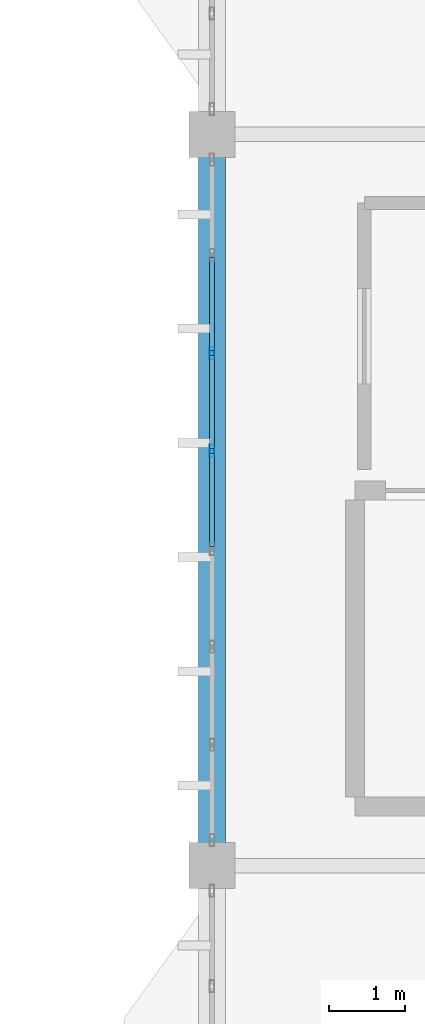
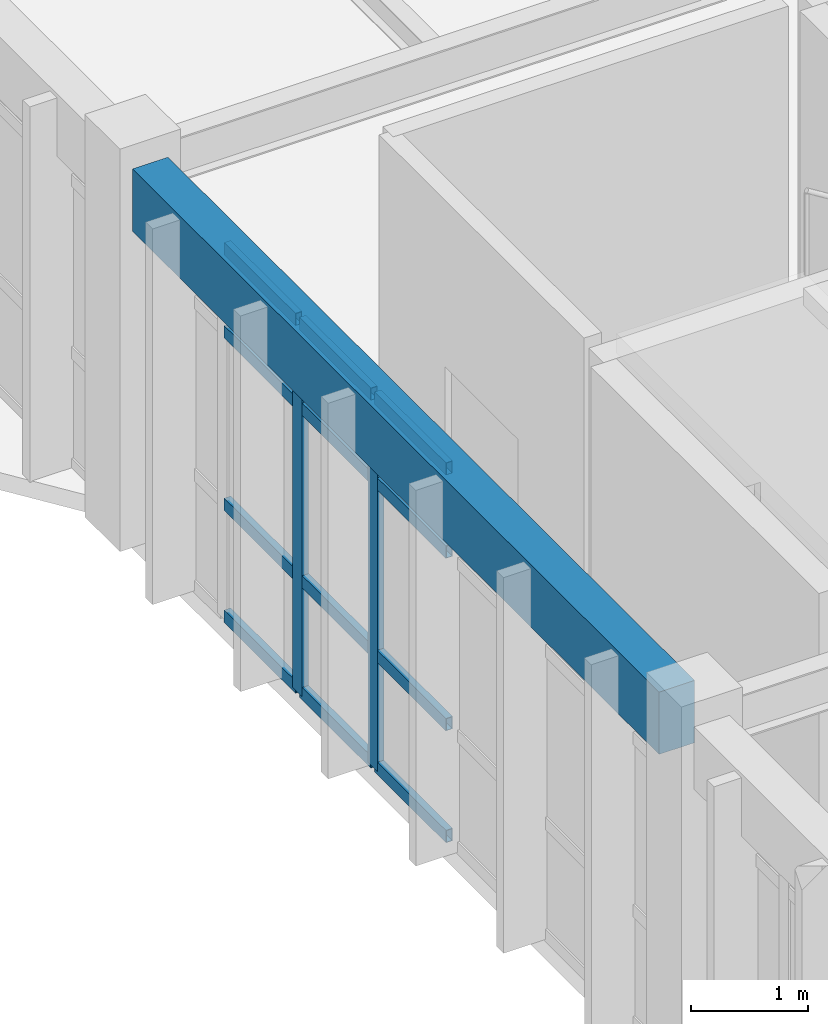
# One storey, part 37 of 83: 14 members, 1 beam, 1 element without a shape of its own.
"""IFC4 building model written with IfcOpenShell, lengths in metres."""

from ifc_helpers import new_model, si_unit, direction, frame, origin, origin_2d, place, context, subcontext, project, spatial, rectangle, hollow_rectangle, extrude, material, layer, layer_set, material_profile, profile_set, type_object, element, aggregate, save


model = new_model("IFC4")

# Units and contexts
model_context = context("Model", 3, precision=1e-05, world=origin(), true_north=direction((0.0, 1.0)))
body_context = subcontext(model_context, "Body", "Model", "MODEL_VIEW")
ifc_project = project(units=[si_unit("LENGTHUNIT", "METRE"), si_unit("AREAUNIT", "SQUARE_METRE"), si_unit("VOLUMEUNIT", "CUBIC_METRE"), si_unit("PLANEANGLEUNIT", "RADIAN"), si_unit("MASSUNIT", "GRAM", prefix="KILO")], contexts=[model_context])

# Site, building, storey
site_placement = place(None, origin())
site = spatial("IfcSite", under=ifc_project, at=site_placement, CompositionType="ELEMENT")
building_placement = place(site_placement, origin())
building = spatial("IfcBuilding", under=site, at=building_placement, Name="Pandanus Reach Market Hall", CompositionType="ELEMENT")
storey_placement = place(building_placement, frame((0.0, 0.0, 10.199951171875)))
storey = spatial("IfcBuildingStorey", under=building, at=storey_placement, Name="L02", CompositionType="ELEMENT", Elevation=10.199951171875)

# Beam
ifc_material_1 = material(Name="Concrete N40 (40 MPa)", Category="concrete")
ifc_material_profile_1 = material_profile(ifc_material_1, rectangle(XDim=0.35009765625, YDim=0.64990234375, at=origin_2d()), Name="RC350x650", Category="LoadBearing")
ifc_profile_set_1 = profile_set([ifc_material_profile_1], Name="Concrete N40 (40 MPa)")
beam_type = type_object("IfcBeamType", Name="BM-RC350-E", PredefinedType="SPANDREL", material=ifc_profile_set_1)
beam_placement = place(storey_placement, frame((144.0, 48.298095703125, 3.625), z_axis=(0.0, 1.0, 0.0), x_axis=(-1.0, 0.0, 0.0)))
element("IfcBeam", 1, at=beam_placement, inside=storey, type_object=beam_type, Name="Framing beam BM-RC350-E L02.464", PredefinedType="SPANDREL", context=body_context, shape_type="SweptSolid", body=[
    extrude(rectangle(XDim=0.35009765625, YDim=0.64990234375, at=origin_2d()), origin(), (0.0, 0.0, 1.0), 9.00390625),
])

# Curtain wall, members
ifc_material_2 = material(Name="Bronze anodised aluminium and low-E glass", Category="aluminium")
ifc_layer = layer(ifc_material_2, 0.159912109375, Name="CW-33")
ifc_layer_set = layer_set([ifc_layer], Name="Bronze anodised aluminium and low-E glass")
curtain_wall_type = type_object("IfcCurtainWallType", Name="CW-33", PredefinedType="NOTDEFINED", material=ifc_layer_set)
curtain_wall_placement = place(storey_placement, origin())
curtain_wall = element("IfcCurtainWall", 2, at=curtain_wall_placement, inside=storey, type_object=curtain_wall_type, Name="Glazed curtain wall CW-33 CW-0112", PredefinedType="NOTDEFINED")
ifc_material_3 = material(Name="Bronze anodised aluminium", Category="aluminium")
ifc_material_profile_2 = material_profile(ifc_material_3, hollow_rectangle(XDim=0.06494140625, YDim=0.159912109375, WallThickness=0.00390625, at=origin_2d()), Name="ALU65x160", Category="LoadBearing")
ifc_profile_set_2 = profile_set([ifc_material_profile_2], Name="Bronze anodised aluminium")
member_type_1 = type_object("IfcMemberType", Name="CW-M1", PredefinedType="MULLION", material=ifc_profile_set_2)
member_1_placement = place(storey_placement, frame((144.0, 53.44287109375, 0.0), z_axis=(0.0, 0.0, 1.0), x_axis=(-1.0, 0.0, 0.0)))
member_1 = element("IfcMember", 3, at=member_1_placement, type_object=member_type_1, Name="CW-33 mullion 5", PredefinedType="MULLION", context=body_context, shape_type="SweptSolid", body=[
    extrude(hollow_rectangle(XDim=0.06494140625, YDim=0.159912109375, WallThickness=0.00390625, at=origin_2d()), origin(), (0.0, 0.0, 1.0), 3.900146484375),
])
member_2_placement = place(storey_placement, frame((144.0, 54.728515625, 0.0), z_axis=(0.0, 0.0, 1.0), x_axis=(-1.0, 0.0, 0.0)))
member_2 = element("IfcMember", 4, at=member_2_placement, type_object=member_type_1, Name="CW-33 mullion 6", PredefinedType="MULLION", context=body_context, shape_type="SweptSolid", body=[
    extrude(hollow_rectangle(XDim=0.06494140625, YDim=0.159912109375, WallThickness=0.00390625, at=origin_2d()), origin(), (0.0, 0.0, 1.0), 3.900146484375),
])
ifc_material_profile_3 = material_profile(ifc_material_3, hollow_rectangle(XDim=0.06494140625, YDim=0.1298828125, WallThickness=0.00390625, at=origin_2d()), Name="ALU65x130", Category="LoadBearing")
ifc_profile_set_3 = profile_set([ifc_material_profile_3], Name="Bronze anodised aluminium")
member_type_2 = type_object("IfcMemberType", Name="CW-T1", PredefinedType="USERDEFINED", material=ifc_profile_set_3)
member_3_placement = place(storey_placement, frame((144.0, 52.189697265625, 0.032470703125), z_axis=(0.0, 1.0, 0.0), x_axis=(-1.0, 0.0, 0.0)))
member_3 = element("IfcMember", 5, at=member_3_placement, type_object=member_type_2, Name="CW-33 transom 4.1", ObjectType="TRANSOM", PredefinedType="USERDEFINED", context=body_context, shape_type="SweptSolid", body=[
    extrude(hollow_rectangle(XDim=0.06494140625, YDim=0.1298828125, WallThickness=0.00390625, at=origin_2d()), origin(), (0.0, 0.0, 1.0), 1.220703125),
])
member_4_placement = place(storey_placement, frame((144.0, 52.189697265625, 1.199951171875), z_axis=(0.0, 1.0, 0.0), x_axis=(-1.0, 0.0, 0.0)))
member_4 = element("IfcMember", 6, at=member_4_placement, type_object=member_type_2, Name="CW-33 transom 4.2", ObjectType="TRANSOM", PredefinedType="USERDEFINED", context=body_context, shape_type="SweptSolid", body=[
    extrude(hollow_rectangle(XDim=0.06494140625, YDim=0.1298828125, WallThickness=0.00390625, at=origin_2d()), origin(), (0.0, 0.0, 1.0), 1.220703125),
])
member_5_placement = place(storey_placement, frame((144.0, 52.189697265625, 3.0), z_axis=(0.0, 1.0, 0.0), x_axis=(-1.0, 0.0, 0.0)))
member_5 = element("IfcMember", 7, at=member_5_placement, type_object=member_type_2, Name="CW-33 transom 4.3", ObjectType="TRANSOM", PredefinedType="USERDEFINED", context=body_context, shape_type="SweptSolid", body=[
    extrude(hollow_rectangle(XDim=0.06494140625, YDim=0.1298828125, WallThickness=0.00390625, at=origin_2d()), origin(), (0.0, 0.0, 1.0), 1.220703125),
])
member_6_placement = place(storey_placement, frame((144.0, 52.189697265625, 3.867431640625), z_axis=(0.0, 1.0, 0.0), x_axis=(-1.0, 0.0, 0.0)))
member_6 = element("IfcMember", 8, at=member_6_placement, type_object=member_type_2, Name="CW-33 transom 4.4", ObjectType="TRANSOM", PredefinedType="USERDEFINED", context=body_context, shape_type="SweptSolid", body=[
    extrude(hollow_rectangle(XDim=0.06494140625, YDim=0.1298828125, WallThickness=0.00390625, at=origin_2d()), origin(), (0.0, 0.0, 1.0), 1.220703125),
])
member_7_placement = place(storey_placement, frame((144.0, 53.475341796875, 0.032470703125), z_axis=(0.0, 1.0, 0.0), x_axis=(-1.0, 0.0, 0.0)))
member_7 = element("IfcMember", 9, at=member_7_placement, type_object=member_type_2, Name="CW-33 transom 5.1", ObjectType="TRANSOM", PredefinedType="USERDEFINED", context=body_context, shape_type="SweptSolid", body=[
    extrude(hollow_rectangle(XDim=0.06494140625, YDim=0.1298828125, WallThickness=0.00390625, at=origin_2d()), origin(), (0.0, 0.0, 1.0), 1.220703125),
])
member_8_placement = place(storey_placement, frame((144.0, 53.475341796875, 1.199951171875), z_axis=(0.0, 1.0, 0.0), x_axis=(-1.0, 0.0, 0.0)))
member_8 = element("IfcMember", 10, at=member_8_placement, type_object=member_type_2, Name="CW-33 transom 5.2", ObjectType="TRANSOM", PredefinedType="USERDEFINED", context=body_context, shape_type="SweptSolid", body=[
    extrude(hollow_rectangle(XDim=0.06494140625, YDim=0.1298828125, WallThickness=0.00390625, at=origin_2d()), origin(), (0.0, 0.0, 1.0), 1.220703125),
])
member_9_placement = place(storey_placement, frame((144.0, 53.475341796875, 3.0), z_axis=(0.0, 1.0, 0.0), x_axis=(-1.0, 0.0, 0.0)))
member_9 = element("IfcMember", 11, at=member_9_placement, type_object=member_type_2, Name="CW-33 transom 5.3", ObjectType="TRANSOM", PredefinedType="USERDEFINED", context=body_context, shape_type="SweptSolid", body=[
    extrude(hollow_rectangle(XDim=0.06494140625, YDim=0.1298828125, WallThickness=0.00390625, at=origin_2d()), origin(), (0.0, 0.0, 1.0), 1.220703125),
])
member_10_placement = place(storey_placement, frame((144.0, 53.475341796875, 3.867431640625), z_axis=(0.0, 1.0, 0.0), x_axis=(-1.0, 0.0, 0.0)))
member_10 = element("IfcMember", 12, at=member_10_placement, type_object=member_type_2, Name="CW-33 transom 5.4", ObjectType="TRANSOM", PredefinedType="USERDEFINED", context=body_context, shape_type="SweptSolid", body=[
    extrude(hollow_rectangle(XDim=0.06494140625, YDim=0.1298828125, WallThickness=0.00390625, at=origin_2d()), origin(), (0.0, 0.0, 1.0), 1.220703125),
])
member_11_placement = place(storey_placement, frame((144.0, 54.760986328125, 0.032470703125), z_axis=(0.0, 1.0, 0.0), x_axis=(-1.0, 0.0, 0.0)))
member_11 = element("IfcMember", 13, at=member_11_placement, type_object=member_type_2, Name="CW-33 transom 6.1", ObjectType="TRANSOM", PredefinedType="USERDEFINED", context=body_context, shape_type="SweptSolid", body=[
    extrude(hollow_rectangle(XDim=0.06494140625, YDim=0.1298828125, WallThickness=0.00390625, at=origin_2d()), origin(), (0.0, 0.0, 1.0), 1.220703125),
])
member_12_placement = place(storey_placement, frame((144.0, 54.760986328125, 1.199951171875), z_axis=(0.0, 1.0, 0.0), x_axis=(-1.0, 0.0, 0.0)))
member_12 = element("IfcMember", 14, at=member_12_placement, type_object=member_type_2, Name="CW-33 transom 6.2", ObjectType="TRANSOM", PredefinedType="USERDEFINED", context=body_context, shape_type="SweptSolid", body=[
    extrude(hollow_rectangle(XDim=0.06494140625, YDim=0.1298828125, WallThickness=0.00390625, at=origin_2d()), origin(), (0.0, 0.0, 1.0), 1.220703125),
])
member_13_placement = place(storey_placement, frame((144.0, 54.760986328125, 3.0), z_axis=(0.0, 1.0, 0.0), x_axis=(-1.0, 0.0, 0.0)))
member_13 = element("IfcMember", 15, at=member_13_placement, type_object=member_type_2, Name="CW-33 transom 6.3", ObjectType="TRANSOM", PredefinedType="USERDEFINED", context=body_context, shape_type="SweptSolid", body=[
    extrude(hollow_rectangle(XDim=0.06494140625, YDim=0.1298828125, WallThickness=0.00390625, at=origin_2d()), origin(), (0.0, 0.0, 1.0), 1.220703125),
])
member_14_placement = place(storey_placement, frame((144.0, 54.760986328125, 3.867431640625), z_axis=(0.0, 1.0, 0.0), x_axis=(-1.0, 0.0, 0.0)))
member_14 = element("IfcMember", 16, at=member_14_placement, type_object=member_type_2, Name="CW-33 transom 6.4", ObjectType="TRANSOM", PredefinedType="USERDEFINED", context=body_context, shape_type="SweptSolid", body=[
    extrude(hollow_rectangle(XDim=0.06494140625, YDim=0.1298828125, WallThickness=0.00390625, at=origin_2d()), origin(), (0.0, 0.0, 1.0), 1.220703125),
])
aggregate(curtain_wall, [member_1, member_2, member_3, member_4, member_5, member_6, member_7, member_8, member_9, member_10, member_11, member_12, member_13, member_14])

save(model, "model.ifc")
